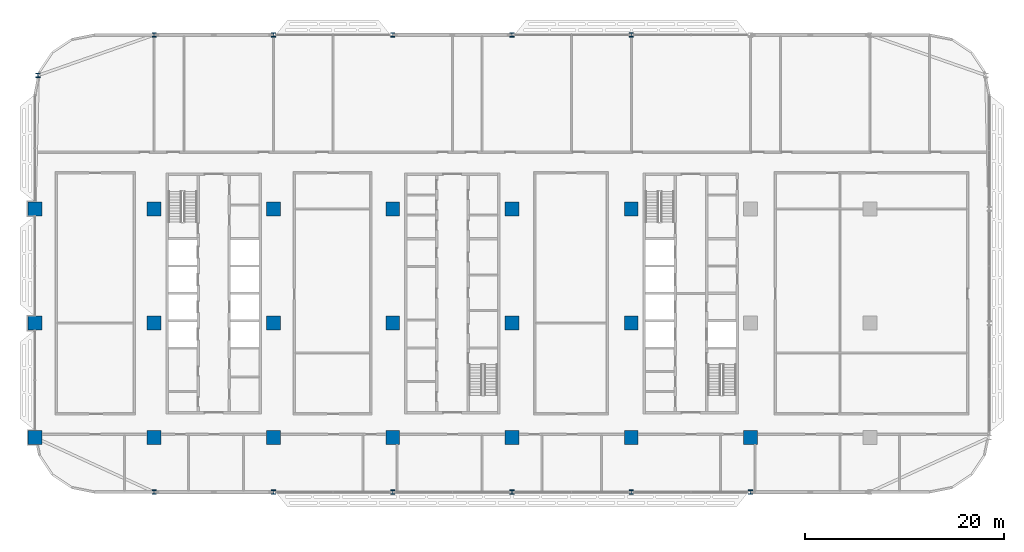
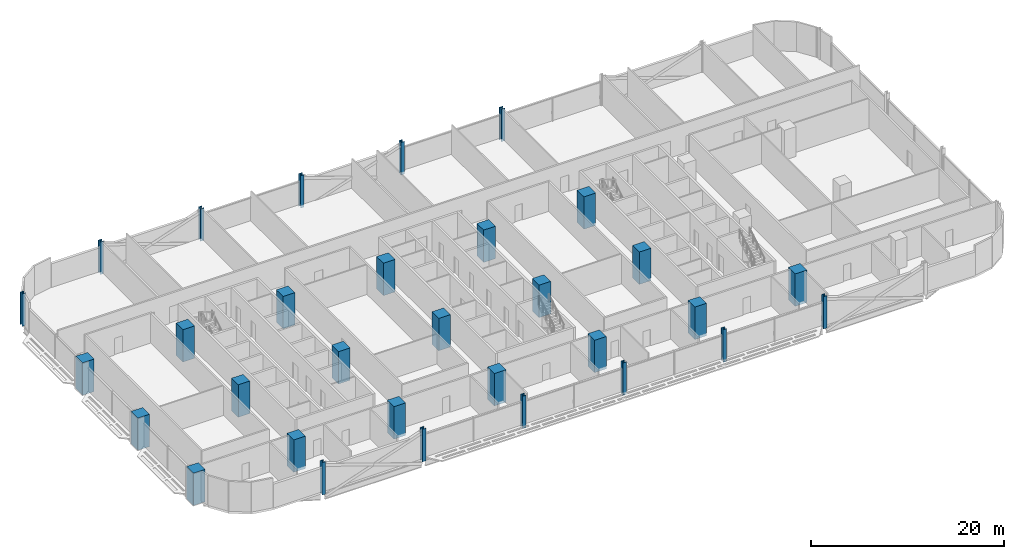
# One storey, part 1 of 29: 31 columns.
"""IFC4 building model written with IfcOpenShell, lengths in metres."""

from ifc_helpers import new_model, si_unit, direction, frame, origin, origin_2d, place, context, subcontext, project, spatial, rectangle, i_section, extrude, material, material_profile, profile_set, type_object, element, save


model = new_model("IFC4")

# Units and contexts
model_context = context("Model", 3, precision=1e-05, world=origin(), true_north=direction((0.0, 1.0)))
body_context = subcontext(model_context, "Body", "Model", "MODEL_VIEW")
ifc_project = project(units=[si_unit("LENGTHUNIT", "METRE"), si_unit("AREAUNIT", "SQUARE_METRE"), si_unit("VOLUMEUNIT", "CUBIC_METRE"), si_unit("PLANEANGLEUNIT", "RADIAN"), si_unit("MASSUNIT", "GRAM", prefix="KILO")], contexts=[model_context])

# Site, building, storey
site_placement = place(None, origin())
site = spatial("IfcSite", under=ifc_project, at=site_placement, CompositionType="ELEMENT")
building_placement = place(site_placement, origin())
building = spatial("IfcBuilding", under=site, at=building_placement, Name="Mahtab Terrace Research Tower", CompositionType="ELEMENT")
storey_placement = place(building_placement, frame((0.0, 0.0, 88.89990234375)))
storey = spatial("IfcBuildingStorey", under=building, at=storey_placement, Name="L20", CompositionType="ELEMENT", Elevation=88.89990234375)

# Columns
ifc_material_1 = material(Name="Concrete C70/85", Category="concrete")
ifc_material_profile_1 = material_profile(ifc_material_1, rectangle(XDim=1.39990234375, YDim=1.39990234375, at=origin_2d()), Name="RC column 1400x1400")
ifc_profile_set_1 = profile_set([ifc_material_profile_1], Name="Concrete C70/85")
column_type_1 = type_object("IfcColumnType", Name="RC column 1400x1400", PredefinedType="COLUMN", material=ifc_profile_set_1)
for number, where, z_axis, x_axis, name in (
    (1, (-42.0, -11.5, -0.33984375), (0.0, 0.0, 1.0), (1.0, 0.0, 0.0), "Column RC-1A L20"),
    (2, (-42.0, 0.0, -0.33984375), (0.0, 0.0, 1.0), (1.0, 0.0, 0.0), "Column RC-1B L20"),
    (3, (-42.0, 11.5, -0.33984375), (0.0, 0.0, 1.0), (1.0, 0.0, 0.0), "Column RC-1C L20"),
    (4, (-30.0, -11.5, -0.33984375), (0.0, 0.0, 1.0), (1.0, 0.0, 0.0), "Column RC-2A L20"),
    (5, (-30.0, 0.0, -0.33984375), (0.0, 0.0, 1.0), (1.0, 0.0, 0.0), "Column RC-2B L20"),
    (6, (-30.0, 11.5, -0.33984375), (0.0, 0.0, 1.0), (1.0, 0.0, 0.0), "Column RC-2C L20"),
    (7, (-18.0, -11.5, -0.33984375), (0.0, 0.0, 1.0), (1.0, 0.0, 0.0), "Column RC-3A L20"),
    (8, (-18.0, 0.0, -0.33984375), (0.0, 0.0, 1.0), (1.0, 0.0, 0.0), "Column RC-3B L20"),
    (9, (-18.0, 11.5, -0.33984375), (0.0, 0.0, 1.0), (1.0, 0.0, 0.0), "Column RC-3C L20"),
    (10, (-6.0, -11.5, -0.33984375), (0.0, 0.0, 1.0), (1.0, 0.0, 0.0), "Column RC-4A L20"),
    (11, (-6.0, 0.0, -0.33984375), (0.0, 0.0, 1.0), (1.0, 0.0, 0.0), "Column RC-4B L20"),
    (12, (-6.0, 11.5, -0.33984375), (0.0, 0.0, 1.0), (1.0, 0.0, 0.0), "Column RC-4C L20"),
    (13, (6.0, -11.5, -0.33984375), (0.0, 0.0, 1.0), (1.0, 0.0, 0.0), "Column RC-5A L20"),
    (14, (6.0, 0.0, -0.33984375), (0.0, 0.0, 1.0), (1.0, 0.0, 0.0), "Column RC-5B L20"),
    (15, (6.0, 11.5, -0.33984375), (0.0, 0.0, 1.0), (1.0, 0.0, 0.0), "Column RC-5C L20"),
    (16, (18.0, -11.5, -0.33984375), (0.0, 0.0, 1.0), (1.0, 0.0, 0.0), "Column RC-6A L20"),
    (17, (18.0, 0.0, -0.33984375), (0.0, 0.0, 1.0), (1.0, 0.0, 0.0), "Column RC-6B L20"),
    (18, (18.0, 11.5, -0.33984375), (0.0, 0.0, 1.0), (1.0, 0.0, 0.0), "Column RC-6C L20"),
    (19, (30.0, -11.5, -0.33984375), (0.0, 0.0, 1.0), (1.0, 0.0, 0.0), "Column RC-7A L20"),
):
    element("IfcColumn", number, at=place(storey_placement, frame(where, z_axis=z_axis, x_axis=x_axis)), inside=storey, type_object=column_type_1, Name=name, PredefinedType="COLUMN", context=body_context, shape_type="SweptSolid", body=[
        extrude(rectangle(XDim=1.39990234375, YDim=1.39990234375, at=origin_2d()), origin(), (0.0, 0.0, 1.0), 4.099853515625),
    ])
ifc_material_2 = material(Name="Steel ASTM A992 Gr 50", Category="steel")
ifc_material_profile_2 = material_profile(ifc_material_2, i_section(OverallWidth=0.419189453125, OverallDepth=0.45458984375, WebThickness=0.042236328125, FlangeThickness=0.067626953125, at=origin_2d()), Name="W14X370")
ifc_profile_set_2 = profile_set([ifc_material_profile_2], Name="Steel ASTM A992 Gr 50")
column_type_2 = type_object("IfcColumnType", Name="W14x370 column CS14370", PredefinedType="COLUMN", material=ifc_profile_set_2)
for number, where, z_axis, x_axis, name in (
    (20, (18.0, 29.0, -0.33984375), (0.0, 0.0, 1.0), (1.0, 0.0, 0.0), "Column SC-033 L20"),
    (21, (6.0, 29.0, -0.33984375), (0.0, 0.0, 1.0), (1.0, 0.0, 0.0), "Column SC-034 L20"),
    (22, (-6.0, 29.0, -0.33984375), (0.0, 0.0, 1.0), (1.0, 0.0, 0.0), "Column SC-035 L20"),
    (23, (-18.0, 29.0, -0.33984375), (0.0, 0.0, 1.0), (1.0, 0.0, 0.0), "Column SC-036 L20"),
    (24, (-30.0, 29.0, -0.33984375), (0.0, 0.0, 1.0), (1.0, 0.0, 0.0), "Column SC-037 L20"),
    (25, (-41.681884765625, 24.927001953125, -0.33984375), (0.0, 0.0, 1.0), (1.0, 0.0, 0.0), "Column SC-038 L20"),
    (26, (-30.0, -17.0, -0.33984375), (0.0, 0.0, 1.0), (1.0, 0.0, 0.0), "Column SC-039 L20"),
    (27, (-18.0, -17.0, -0.33984375), (0.0, 0.0, 1.0), (1.0, 0.0, 0.0), "Column SC-040 L20"),
    (28, (-6.0, -17.0, -0.33984375), (0.0, 0.0, 1.0), (1.0, 0.0, 0.0), "Column SC-041 L20"),
    (29, (6.0, -17.0, -0.33984375), (0.0, 0.0, 1.0), (1.0, 0.0, 0.0), "Column SC-042 L20"),
    (30, (18.0, -17.0, -0.33984375), (0.0, 0.0, 1.0), (1.0, 0.0, 0.0), "Column SC-043 L20"),
    (31, (30.0, -17.0, -0.33984375), (0.0, 0.0, 1.0), (1.0, 0.0, 0.0), "Column SC-044 L20"),
):
    element("IfcColumn", number, at=place(storey_placement, frame(where, z_axis=z_axis, x_axis=x_axis)), inside=storey, type_object=column_type_2, Name=name, PredefinedType="COLUMN", context=body_context, shape_type="SweptSolid", body=[
        extrude(i_section(OverallWidth=0.419189453125, OverallDepth=0.45458984375, WebThickness=0.042236328125, FlangeThickness=0.067626953125, at=origin_2d()), origin(), (0.0, 0.0, 1.0), 4.099853515625),
    ])

save(model, "model.ifc")
